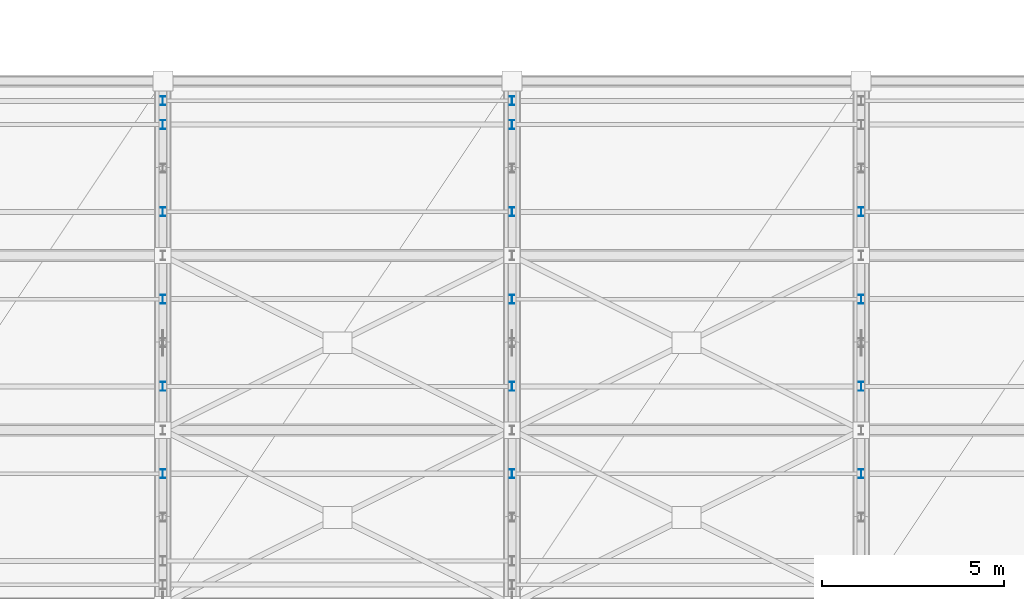
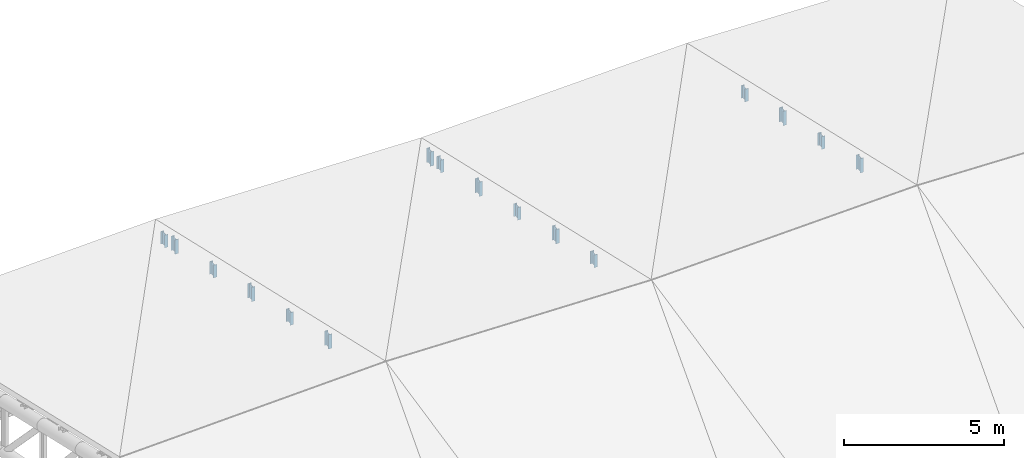
# One storey, part 91 of 109: 16 members.
"""IFC4 building model written with IfcOpenShell, lengths in metres."""

from ifc_helpers import new_model, si_unit, direction, frame, origin, origin_2d, place, context, subcontext, project, spatial, i_section, extrude, material, material_profile, profile_set, type_object, element, save


model = new_model("IFC4")

# Units and contexts
model_context = context("Model", 3, precision=1e-05, world=origin(), true_north=direction((0.0, 1.0)))
body_context = subcontext(model_context, "Body", "Model", "MODEL_VIEW")
ifc_project = project(units=[si_unit("LENGTHUNIT", "METRE"), si_unit("AREAUNIT", "SQUARE_METRE"), si_unit("VOLUMEUNIT", "CUBIC_METRE"), si_unit("PLANEANGLEUNIT", "RADIAN"), si_unit("MASSUNIT", "GRAM", prefix="KILO")], contexts=[model_context])

# Site, building, storey
site_placement = place(None, origin())
site = spatial("IfcSite", under=ifc_project, at=site_placement, CompositionType="ELEMENT")
building_placement = place(site_placement, origin())
building = spatial("IfcBuilding", under=site, at=building_placement, Name="Suirenkawa Promenade Aquatics Centre", CompositionType="ELEMENT")
storey_placement = place(building_placement, frame((0.0, 0.0, 22.800048828125)))
storey = spatial("IfcBuildingStorey", under=building, at=storey_placement, Name="ROOF", CompositionType="ELEMENT", Elevation=22.800048828125)

# Members
ifc_material = material(Name="Steel IS 2062 E350 (Grade 350)", Category="steel")
ifc_material_profile = material_profile(ifc_material, i_section(OverallWidth=0.125, OverallDepth=0.25, WebThickness=0.007080078125, FlangeThickness=0.012939453125, at=origin_2d()), Name="ISMB 250", Category="steel")
ifc_profile_set = profile_set([ifc_material_profile], Name="Steel IS 2062 E350 (Grade 350)")
member_type = type_object("IfcMemberType", Name="MT-WEB-CHS168", PredefinedType="BRACE", material=ifc_profile_set)
member_1_placement = place(storey_placement, frame((165.60009765625, 90.0, -2.22509765625), z_axis=(0.0, 0.0, 1.0), x_axis=(1.0, 0.0, 0.0)))
element("IfcMember", 1, at=member_1_placement, inside=storey, type_object=member_type, Name="ROOF TRUSS Purlin cleat post TD-03 MB-2457", PredefinedType="BRACE", context=body_context, shape_type="SweptSolid", body=[
    extrude(i_section(OverallWidth=0.125, OverallDepth=0.25, WebThickness=0.007080078125, FlangeThickness=0.012939453125, at=origin_2d()), origin(), (0.0, 0.0, 1.0), 0.549072265625),
])
member_2_placement = place(storey_placement, frame((165.60009765625, 92.39990234375, -2.775146484375), z_axis=(0.0, 0.0, 1.0), x_axis=(1.0, 0.0, 0.0)))
element("IfcMember", 2, at=member_2_placement, inside=storey, type_object=member_type, Name="ROOF TRUSS Purlin cleat post TD-03 MB-2460", PredefinedType="BRACE", context=body_context, shape_type="SweptSolid", body=[
    extrude(i_section(OverallWidth=0.125, OverallDepth=0.25, WebThickness=0.007080078125, FlangeThickness=0.012939453125, at=origin_2d()), origin(), (0.0, 0.0, 1.0), 0.484130859375),
])
member_3_placement = place(storey_placement, frame((165.60009765625, 94.800048828125, -3.324951171875), z_axis=(0.0, 0.0, 1.0), x_axis=(1.0, 0.0, 0.0)))
element("IfcMember", 3, at=member_3_placement, inside=storey, type_object=member_type, Name="ROOF TRUSS Purlin cleat post TD-03 MB-2463", PredefinedType="BRACE", context=body_context, shape_type="SweptSolid", body=[
    extrude(i_section(OverallWidth=0.125, OverallDepth=0.25, WebThickness=0.007080078125, FlangeThickness=0.012939453125, at=origin_2d()), origin(), (0.0, 0.0, 1.0), 0.548828125),
])
member_4_placement = place(storey_placement, frame((165.60009765625, 97.199951171875, -3.875), z_axis=(0.0, 0.0, 1.0), x_axis=(1.0, 0.0, 0.0)))
element("IfcMember", 4, at=member_4_placement, inside=storey, type_object=member_type, Name="ROOF TRUSS Purlin cleat post TD-03 MB-2466", PredefinedType="BRACE", context=body_context, shape_type="SweptSolid", body=[
    extrude(i_section(OverallWidth=0.125, OverallDepth=0.25, WebThickness=0.007080078125, FlangeThickness=0.012939453125, at=origin_2d()), origin(), (0.0, 0.0, 1.0), 0.48388671875),
])
member_5_placement = place(storey_placement, frame((165.60009765625, 99.60009765625, -4.425048828125), z_axis=(0.0, 0.0, 1.0), x_axis=(1.0, 0.0, 0.0)))
element("IfcMember", 5, at=member_5_placement, inside=storey, type_object=member_type, Name="ROOF TRUSS Purlin cleat post TD-03 MB-2469", PredefinedType="BRACE", context=body_context, shape_type="SweptSolid", body=[
    extrude(i_section(OverallWidth=0.125, OverallDepth=0.25, WebThickness=0.007080078125, FlangeThickness=0.012939453125, at=origin_2d()), origin(), (0.0, 0.0, 1.0), 0.549072265625),
])
member_6_placement = place(storey_placement, frame((165.60009765625, 100.25, -4.573974609375), z_axis=(0.0, 0.0, 1.0), x_axis=(1.0, 0.0, 0.0)))
element("IfcMember", 6, at=member_6_placement, inside=storey, type_object=member_type, Name="ROOF TRUSS Purlin cleat post TD-03 MB-2472", PredefinedType="BRACE", context=body_context, shape_type="SweptSolid", body=[
    extrude(i_section(OverallWidth=0.125, OverallDepth=0.25, WebThickness=0.007080078125, FlangeThickness=0.012939453125, at=origin_2d()), origin(), (0.0, 0.0, 1.0), 0.48388671875),
])
member_7_placement = place(storey_placement, frame((175.199951171875, 90.0, -2.47509765625), z_axis=(0.0, 0.0, 1.0), x_axis=(1.0, 0.0, 0.0)))
element("IfcMember", 7, at=member_7_placement, inside=storey, type_object=member_type, Name="ROOF TRUSS Purlin cleat post TD-03 MB-2506", PredefinedType="BRACE", context=body_context, shape_type="SweptSolid", body=[
    extrude(i_section(OverallWidth=0.125, OverallDepth=0.25, WebThickness=0.007080078125, FlangeThickness=0.012939453125, at=origin_2d()), origin(), (0.0, 0.0, 1.0), 0.484130859375),
])
member_8_placement = place(storey_placement, frame((175.199951171875, 92.39990234375, -3.025146484375), z_axis=(0.0, 0.0, 1.0), x_axis=(1.0, 0.0, 0.0)))
element("IfcMember", 8, at=member_8_placement, inside=storey, type_object=member_type, Name="ROOF TRUSS Purlin cleat post TD-03 MB-2508", PredefinedType="BRACE", context=body_context, shape_type="SweptSolid", body=[
    extrude(i_section(OverallWidth=0.125, OverallDepth=0.25, WebThickness=0.007080078125, FlangeThickness=0.012939453125, at=origin_2d()), origin(), (0.0, 0.0, 1.0), 0.549072265625),
])
member_9_placement = place(storey_placement, frame((175.199951171875, 94.800048828125, -3.574951171875), z_axis=(0.0, 0.0, 1.0), x_axis=(1.0, 0.0, 0.0)))
element("IfcMember", 9, at=member_9_placement, inside=storey, type_object=member_type, Name="ROOF TRUSS Purlin cleat post TD-03 MB-2510", PredefinedType="BRACE", context=body_context, shape_type="SweptSolid", body=[
    extrude(i_section(OverallWidth=0.125, OverallDepth=0.25, WebThickness=0.007080078125, FlangeThickness=0.012939453125, at=origin_2d()), origin(), (0.0, 0.0, 1.0), 0.48388671875),
])
member_10_placement = place(storey_placement, frame((175.199951171875, 97.199951171875, -4.125), z_axis=(0.0, 0.0, 1.0), x_axis=(1.0, 0.0, 0.0)))
element("IfcMember", 10, at=member_10_placement, inside=storey, type_object=member_type, Name="ROOF TRUSS Purlin cleat post TD-03 MB-2512", PredefinedType="BRACE", context=body_context, shape_type="SweptSolid", body=[
    extrude(i_section(OverallWidth=0.125, OverallDepth=0.25, WebThickness=0.007080078125, FlangeThickness=0.012939453125, at=origin_2d()), origin(), (0.0, 0.0, 1.0), 0.549072265625),
])
member_11_placement = place(storey_placement, frame((175.199951171875, 99.60009765625, -4.675048828125), z_axis=(0.0, 0.0, 1.0), x_axis=(1.0, 0.0, 0.0)))
element("IfcMember", 11, at=member_11_placement, inside=storey, type_object=member_type, Name="ROOF TRUSS Purlin cleat post TD-03 MB-2514", PredefinedType="BRACE", context=body_context, shape_type="SweptSolid", body=[
    extrude(i_section(OverallWidth=0.125, OverallDepth=0.25, WebThickness=0.007080078125, FlangeThickness=0.012939453125, at=origin_2d()), origin(), (0.0, 0.0, 1.0), 0.48388671875),
])
member_12_placement = place(storey_placement, frame((175.199951171875, 100.25, -4.823974609375), z_axis=(0.0, 0.0, 1.0), x_axis=(1.0, 0.0, 0.0)))
element("IfcMember", 12, at=member_12_placement, inside=storey, type_object=member_type, Name="ROOF TRUSS Purlin cleat post TD-03 MB-2516", PredefinedType="BRACE", context=body_context, shape_type="SweptSolid", body=[
    extrude(i_section(OverallWidth=0.125, OverallDepth=0.25, WebThickness=0.007080078125, FlangeThickness=0.012939453125, at=origin_2d()), origin(), (0.0, 0.0, 1.0), 0.548828125),
])
member_13_placement = place(storey_placement, frame((184.800048828125, 90.0, -2.22509765625), z_axis=(0.0, 0.0, 1.0), x_axis=(1.0, 0.0, 0.0)))
element("IfcMember", 13, at=member_13_placement, inside=storey, type_object=member_type, Name="ROOF TRUSS Purlin cleat post TD-03 MB-2550", PredefinedType="BRACE", context=body_context, shape_type="SweptSolid", body=[
    extrude(i_section(OverallWidth=0.125, OverallDepth=0.25, WebThickness=0.007080078125, FlangeThickness=0.012939453125, at=origin_2d()), origin(), (0.0, 0.0, 1.0), 0.549072265625),
])
member_14_placement = place(storey_placement, frame((184.800048828125, 92.39990234375, -2.775146484375), z_axis=(0.0, 0.0, 1.0), x_axis=(1.0, 0.0, 0.0)))
element("IfcMember", 14, at=member_14_placement, inside=storey, type_object=member_type, Name="ROOF TRUSS Purlin cleat post TD-03 MB-2552", PredefinedType="BRACE", context=body_context, shape_type="SweptSolid", body=[
    extrude(i_section(OverallWidth=0.125, OverallDepth=0.25, WebThickness=0.007080078125, FlangeThickness=0.012939453125, at=origin_2d()), origin(), (0.0, 0.0, 1.0), 0.484130859375),
])
member_15_placement = place(storey_placement, frame((184.800048828125, 94.800048828125, -3.324951171875), z_axis=(0.0, 0.0, 1.0), x_axis=(1.0, 0.0, 0.0)))
element("IfcMember", 15, at=member_15_placement, inside=storey, type_object=member_type, Name="ROOF TRUSS Purlin cleat post TD-03 MB-2554", PredefinedType="BRACE", context=body_context, shape_type="SweptSolid", body=[
    extrude(i_section(OverallWidth=0.125, OverallDepth=0.25, WebThickness=0.007080078125, FlangeThickness=0.012939453125, at=origin_2d()), origin(), (0.0, 0.0, 1.0), 0.548828125),
])
member_16_placement = place(storey_placement, frame((184.800048828125, 97.199951171875, -3.875), z_axis=(0.0, 0.0, 1.0), x_axis=(1.0, 0.0, 0.0)))
element("IfcMember", 16, at=member_16_placement, inside=storey, type_object=member_type, Name="ROOF TRUSS Purlin cleat post TD-03 MB-2556", PredefinedType="BRACE", context=body_context, shape_type="SweptSolid", body=[
    extrude(i_section(OverallWidth=0.125, OverallDepth=0.25, WebThickness=0.007080078125, FlangeThickness=0.012939453125, at=origin_2d()), origin(), (0.0, 0.0, 1.0), 0.48388671875),
])

save(model, "model.ifc")
